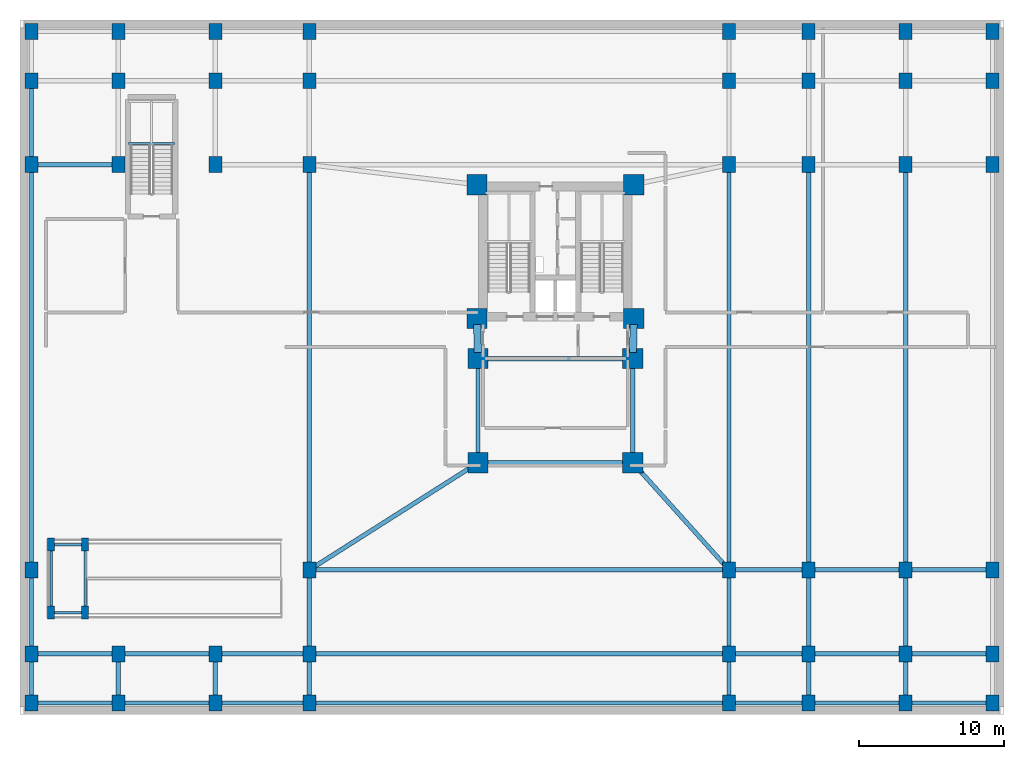
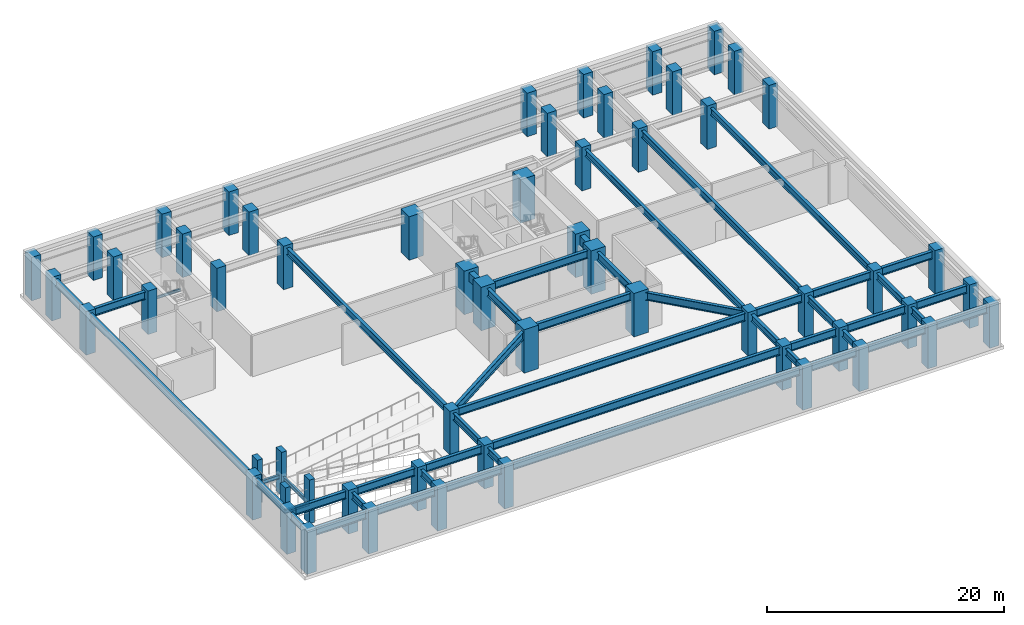
# One storey, part 1 of 8: 58 columns, 50 beams.
"""IFC4 building model written with IfcOpenShell, lengths in metres."""

from ifc_helpers import new_model, si_unit, direction, frame, origin, origin_2d, place, context, subcontext, project, spatial, rectangle, i_section, extrude, material, material_profile, profile_set, type_object, element, save


model = new_model("IFC4")

# Units and contexts
model_context = context("Model", 3, precision=1e-05, world=origin(), true_north=direction((0.0, 1.0)))
body_context = subcontext(model_context, "Body", "Model", "MODEL_VIEW")
ifc_project = project(units=[si_unit("LENGTHUNIT", "METRE"), si_unit("AREAUNIT", "SQUARE_METRE"), si_unit("VOLUMEUNIT", "CUBIC_METRE"), si_unit("PLANEANGLEUNIT", "RADIAN"), si_unit("MASSUNIT", "GRAM", prefix="KILO")], contexts=[model_context])

# Site, building, storey
site_placement = place(None, origin())
site = spatial("IfcSite", under=ifc_project, at=site_placement, CompositionType="ELEMENT")
building_placement = place(site_placement, origin())
building = spatial("IfcBuilding", under=site, at=building_placement, Name="Varnakorn Sky Granary", CompositionType="ELEMENT")
storey_placement = place(building_placement, frame((0.0, 0.0, -4.5)))
storey = spatial("IfcBuildingStorey", under=building, at=storey_placement, Name="B01", CompositionType="ELEMENT", Elevation=-4.5)

# Columns
ifc_material_1 = material(Name="Concrete C60/75", Category="concrete")
ifc_material_profile_1 = material_profile(ifc_material_1, rectangle(XDim=1.39990234375, YDim=1.39990234375, at=origin_2d()), Name="RC 1400x1400")
ifc_profile_set_1 = profile_set([ifc_material_profile_1], Name="Concrete C60/75")
column_type_1 = type_object("IfcColumnType", Name="COL-MC-Z0", PredefinedType="COLUMN", material=ifc_profile_set_1)
for number, where, z_axis, x_axis, name in (
    (1, (-2.419921875, 12.6201171875, 0.0), (0.0, 0.0, 1.0), (1.0, 0.0, 0.0), "Backbone Mega-Column MC1 B01"),
    (2, (8.419921875, 12.6201171875, 0.0), (0.0, 0.0, 1.0), (1.0, 0.0, 0.0), "Backbone Mega-Column MC2 B01"),
    (3, (-2.419921875, 3.3798828125, 0.0), (0.0, 0.0, 1.0), (1.0, 0.0, 0.0), "Backbone Mega-Column MC3 B01"),
    (4, (8.419921875, 3.3798828125, 0.0), (0.0, 0.0, 1.0), (1.0, 0.0, 0.0), "Backbone Mega-Column MC4 B01"),
    (5, (-2.35009765625, 0.60009765625, 0.0), (0.0, 0.0, 1.0), (1.0, 0.0, 0.0), "Backbone Mega-Column MC5 B01"),
    (6, (8.35009765625, 0.60009765625, 0.0), (0.0, 0.0, 1.0), (1.0, 0.0, 0.0), "Backbone Mega-Column MC6 B01"),
    (7, (-2.35009765625, -6.60009765625, 0.0), (0.0, 0.0, 1.0), (1.0, 0.0, 0.0), "Backbone Mega-Column MC7 B01"),
    (8, (8.35009765625, -6.60009765625, 0.0), (0.0, 0.0, 1.0), (1.0, 0.0, 0.0), "Backbone Mega-Column MC8 B01"),
):
    element("IfcColumn", number, at=place(storey_placement, frame(where, z_axis=z_axis, x_axis=x_axis)), inside=storey, type_object=column_type_1, Name=name, PredefinedType="COLUMN", context=body_context, shape_type="SweptSolid", body=[
        extrude(rectangle(XDim=1.39990234375, YDim=1.39990234375, at=origin_2d()), origin(), (0.0, 0.0, 1.0), 4.47509765625),
    ])
ifc_material_profile_2 = material_profile(ifc_material_1, rectangle(XDim=0.89990234375, YDim=1.10009765625, at=origin_2d()), Name="RC 900x1100")
ifc_profile_set_2 = profile_set([ifc_material_profile_2], Name="Concrete C60/75")
column_type_2 = type_object("IfcColumnType", Name="COL-POD-1100", PredefinedType="COLUMN", material=ifc_profile_set_2)
for number, where, z_axis, x_axis, name in (
    (9, (-33.199951171875, -23.199951171875, 0.0), (0.0, 0.0, 1.0), (1.0, 0.0, 0.0), "Podium Column P11 B01"),
    (10, (-33.199951171875, -19.800048828125, 0.0), (0.0, 0.0, 1.0), (1.0, 0.0, 0.0), "Podium Column P12 B01"),
    (11, (-33.199951171875, -14.0, 0.0), (0.0, 0.0, 1.0), (1.0, 0.0, 0.0), "Podium Column P13 B01"),
    (12, (-33.199951171875, 14.0, 0.0), (0.0, 0.0, 1.0), (1.0, 0.0, 0.0), "Podium Column P14 B01"),
    (13, (-33.199951171875, 19.800048828125, 0.0), (0.0, 0.0, 1.0), (1.0, 0.0, 0.0), "Podium Column P15 B01"),
    (14, (-33.199951171875, 23.199951171875, 0.0), (0.0, 0.0, 1.0), (1.0, 0.0, 0.0), "Podium Column P16 B01"),
    (15, (-27.199951171875, -23.199951171875, 0.0), (0.0, 0.0, 1.0), (1.0, 0.0, 0.0), "Podium Column P21 B01"),
    (16, (-27.199951171875, -19.800048828125, 0.0), (0.0, 0.0, 1.0), (1.0, 0.0, 0.0), "Podium Column P22 B01"),
    (17, (-27.199951171875, 14.0, 0.0), (0.0, 0.0, 1.0), (1.0, 0.0, 0.0), "Podium Column P24 B01"),
    (18, (-27.199951171875, 19.800048828125, 0.0), (0.0, 0.0, 1.0), (1.0, 0.0, 0.0), "Podium Column P25 B01"),
    (19, (-27.199951171875, 23.199951171875, 0.0), (0.0, 0.0, 1.0), (1.0, 0.0, 0.0), "Podium Column P26 B01"),
    (20, (-20.5, -23.199951171875, 0.0), (0.0, 0.0, 1.0), (1.0, 0.0, 0.0), "Podium Column P31 B01"),
    (21, (-20.5, -19.800048828125, 0.0), (0.0, 0.0, 1.0), (1.0, 0.0, 0.0), "Podium Column P32 B01"),
    (22, (-20.5, 14.0, 0.0), (0.0, 0.0, 1.0), (1.0, 0.0, 0.0), "Podium Column P34 B01"),
    (23, (-20.5, 19.800048828125, 0.0), (0.0, 0.0, 1.0), (1.0, 0.0, 0.0), "Podium Column P35 B01"),
    (24, (-20.5, 23.199951171875, 0.0), (0.0, 0.0, 1.0), (1.0, 0.0, 0.0), "Podium Column P36 B01"),
    (25, (-14.0, -23.199951171875, 0.0), (0.0, 0.0, 1.0), (1.0, 0.0, 0.0), "Podium Column P41 B01"),
    (26, (-14.0, -19.800048828125, 0.0), (0.0, 0.0, 1.0), (1.0, 0.0, 0.0), "Podium Column P42 B01"),
    (27, (-14.0, -14.0, 0.0), (0.0, 0.0, 1.0), (1.0, 0.0, 0.0), "Podium Column P43 B01"),
    (28, (-14.0, 14.0, 0.0), (0.0, 0.0, 1.0), (1.0, 0.0, 0.0), "Podium Column P44 B01"),
    (29, (-14.0, 19.800048828125, 0.0), (0.0, 0.0, 1.0), (1.0, 0.0, 0.0), "Podium Column P45 B01"),
    (30, (-14.0, 23.199951171875, 0.0), (0.0, 0.0, 1.0), (1.0, 0.0, 0.0), "Podium Column P46 B01"),
    (31, (15.0, -23.199951171875, 0.0), (0.0, 0.0, 1.0), (1.0, 0.0, 0.0), "Podium Column P51 B01"),
    (32, (15.0, -19.800048828125, 0.0), (0.0, 0.0, 1.0), (1.0, 0.0, 0.0), "Podium Column P52 B01"),
    (33, (15.0, -14.0, 0.0), (0.0, 0.0, 1.0), (1.0, 0.0, 0.0), "Podium Column P53 B01"),
    (34, (15.0, 14.0, 0.0), (0.0, 0.0, 1.0), (1.0, 0.0, 0.0), "Podium Column P54 B01"),
    (35, (15.0, 19.800048828125, 0.0), (0.0, 0.0, 1.0), (1.0, 0.0, 0.0), "Podium Column P55 B01"),
    (36, (15.0, 23.199951171875, 0.0), (0.0, 0.0, 1.0), (1.0, 0.0, 0.0), "Podium Column P56 B01"),
    (37, (20.5, -23.199951171875, 0.0), (0.0, 0.0, 1.0), (1.0, 0.0, 0.0), "Podium Column P61 B01"),
    (38, (20.5, -19.800048828125, 0.0), (0.0, 0.0, 1.0), (1.0, 0.0, 0.0), "Podium Column P62 B01"),
    (39, (20.5, -14.0, 0.0), (0.0, 0.0, 1.0), (1.0, 0.0, 0.0), "Podium Column P63 B01"),
    (40, (20.5, 14.0, 0.0), (0.0, 0.0, 1.0), (1.0, 0.0, 0.0), "Podium Column P64 B01"),
    (41, (20.5, 19.800048828125, 0.0), (0.0, 0.0, 1.0), (1.0, 0.0, 0.0), "Podium Column P65 B01"),
    (42, (20.5, 23.199951171875, 0.0), (0.0, 0.0, 1.0), (1.0, 0.0, 0.0), "Podium Column P66 B01"),
    (43, (27.199951171875, -23.199951171875, 0.0), (0.0, 0.0, 1.0), (1.0, 0.0, 0.0), "Podium Column P71 B01"),
    (44, (27.199951171875, -19.800048828125, 0.0), (0.0, 0.0, 1.0), (1.0, 0.0, 0.0), "Podium Column P72 B01"),
    (45, (27.199951171875, -14.0, 0.0), (0.0, 0.0, 1.0), (1.0, 0.0, 0.0), "Podium Column P73 B01"),
    (46, (27.199951171875, 14.0, 0.0), (0.0, 0.0, 1.0), (1.0, 0.0, 0.0), "Podium Column P74 B01"),
    (47, (27.199951171875, 19.800048828125, 0.0), (0.0, 0.0, 1.0), (1.0, 0.0, 0.0), "Podium Column P75 B01"),
    (48, (27.199951171875, 23.199951171875, 0.0), (0.0, 0.0, 1.0), (1.0, 0.0, 0.0), "Podium Column P76 B01"),
    (49, (33.199951171875, -23.199951171875, 0.0), (0.0, 0.0, 1.0), (1.0, 0.0, 0.0), "Podium Column P81 B01"),
    (50, (33.199951171875, -19.800048828125, 0.0), (0.0, 0.0, 1.0), (1.0, 0.0, 0.0), "Podium Column P82 B01"),
    (51, (33.199951171875, -14.0, 0.0), (0.0, 0.0, 1.0), (1.0, 0.0, 0.0), "Podium Column P83 B01"),
    (52, (33.199951171875, 14.0, 0.0), (0.0, 0.0, 1.0), (1.0, 0.0, 0.0), "Podium Column P84 B01"),
    (53, (33.199951171875, 19.800048828125, 0.0), (0.0, 0.0, 1.0), (1.0, 0.0, 0.0), "Podium Column P85 B01"),
    (54, (33.199951171875, 23.199951171875, 0.0), (0.0, 0.0, 1.0), (1.0, 0.0, 0.0), "Podium Column P86 B01"),
):
    element("IfcColumn", number, at=place(storey_placement, frame(where, z_axis=z_axis, x_axis=x_axis)), inside=storey, type_object=column_type_2, Name=name, PredefinedType="COLUMN", context=body_context, shape_type="SweptSolid", body=[
        extrude(rectangle(XDim=0.89990234375, YDim=1.10009765625, at=origin_2d()), origin(), (0.0, 0.0, 1.0), 4.47509765625),
    ])
ifc_material_2 = material(Name="Concrete C50/60", Category="concrete")
ifc_material_profile_3 = material_profile(ifc_material_2, rectangle(XDim=0.5, YDim=0.89990234375, at=origin_2d()), Name="RC 500x900")
ifc_profile_set_3 = profile_set([ifc_material_profile_3], Name="Concrete C50/60")
column_type_3 = type_object("IfcColumnType", Name="COL-RMP-500", PredefinedType="COLUMN", material=ifc_profile_set_3)
for number, where, z_axis, x_axis, name in (
    (55, (-31.85009765625, -16.949951171875, 0.0), (0.0, 0.0, 1.0), (1.0, 0.0, 0.0), "Vehicle Ramp Support Column 1 B01"),
    (56, (-29.5, -16.949951171875, 0.0), (0.0, 0.0, 1.0), (1.0, 0.0, 0.0), "Vehicle Ramp Support Column 2 B01"),
    (57, (-31.85009765625, -12.25, 0.0), (0.0, 0.0, 1.0), (1.0, 0.0, 0.0), "Vehicle Ramp Support Column 3 B01"),
    (58, (-29.5, -12.25, 0.0), (0.0, 0.0, 1.0), (1.0, 0.0, 0.0), "Vehicle Ramp Support Column 4 B01"),
):
    element("IfcColumn", number, at=place(storey_placement, frame(where, z_axis=z_axis, x_axis=x_axis)), inside=storey, type_object=column_type_3, Name=name, PredefinedType="COLUMN", context=body_context, shape_type="SweptSolid", body=[
        extrude(rectangle(XDim=0.5, YDim=0.89990234375, at=origin_2d()), origin(), (0.0, 0.0, 1.0), 4.491943359375),
    ])

# Beams
ifc_material_profile_4 = material_profile(ifc_material_1, rectangle(XDim=0.5, YDim=0.89990234375, at=origin_2d()), Name="RC 500x900")
ifc_profile_set_4 = profile_set([ifc_material_profile_4], Name="Concrete C60/75")
beam_type_1 = type_object("IfcBeamType", Name="BM-LIN-900", PredefinedType="LINTEL", material=ifc_profile_set_4)
for number, where, z_axis, x_axis, name in (
    (59, (-2.409423828125, 2.960205078125, 3.72998046875), (0.025158763514, -0.999683468213, 0.0), (0.999683468213, 0.025158763514, 0.0), "Core Spine Beam 1 B01"),
    (60, (8.409423828125, 2.960205078125, 3.72998046875), (-0.025158763514, -0.999683468213, 0.0), (0.999683468213, -0.025158763514, 0.0), "Core Spine Beam 2 B01"),
):
    element("IfcBeam", number, at=place(storey_placement, frame(where, z_axis=z_axis, x_axis=x_axis)), inside=storey, type_object=beam_type_1, Name=name, PredefinedType="LINTEL", context=body_context, shape_type="SweptSolid", body=[
        extrude(rectangle(XDim=0.5, YDim=0.89990234375, at=origin_2d()), origin(), (0.0, 0.0, 1.0), 1.94091796875),
    ])
ifc_material_3 = material(Name="Steel S355JR", Category="steel")
ifc_material_profile_5 = material_profile(ifc_material_3, i_section(OverallWidth=0.135009765625, OverallDepth=0.27001953125, WebThickness=0.006591796875, FlangeThickness=0.01025390625, at=origin_2d()), Name="IPE 270")
ifc_profile_set_5 = profile_set([ifc_material_profile_5], Name="Steel S355JR")
beam_type_2 = type_object("IfcBeamType", Name="BM-LND-270", PredefinedType="BEAM", material=ifc_profile_set_5)
beam_1_placement = place(storey_placement, frame((-26.5, 15.4599609375, 1.9150390625), z_axis=(1.0, 0.0, 0.0), x_axis=(0.0, 1.0, 0.0)))
element("IfcBeam", 61, at=beam_1_placement, inside=storey, type_object=beam_type_2, Name="Stair ST-B3 Landing Trimmer Beam A B01-1", PredefinedType="BEAM", context=body_context, shape_type="SweptSolid", body=[
    extrude(i_section(OverallWidth=0.135009765625, OverallDepth=0.27001953125, WebThickness=0.006591796875, FlangeThickness=0.01025390625, at=origin_2d()), origin(), (0.0, 0.0, 1.0), 3.179931640625),
])
ifc_material_profile_6 = material_profile(ifc_material_3, i_section(OverallWidth=0.300048828125, OverallDepth=0.699951171875, WebThickness=0.01708984375, FlangeThickness=0.031982421875, at=origin_2d()), Name="HE 700 B")
ifc_profile_set_6 = profile_set([ifc_material_profile_6], Name="Steel S355JR")
beam_type_3 = type_object("IfcBeamType", Name="BM-PG-700", PredefinedType="T_BEAM", material=ifc_profile_set_6)
beam_2_placement = place(storey_placement, frame((-33.199951171875, -22.780029296875, 3.830078125), z_axis=(0.0, 1.0, 0.0), x_axis=(-1.0, 0.0, 0.0)))
element("IfcBeam", 62, at=beam_2_placement, inside=storey, type_object=beam_type_3, Name="Podium Y-Girder GY39 B01", PredefinedType="T_BEAM", context=body_context, shape_type="SweptSolid", body=[
    extrude(i_section(OverallWidth=0.300048828125, OverallDepth=0.699951171875, WebThickness=0.01708984375, FlangeThickness=0.031982421875, at=origin_2d()), origin(), (0.0, 0.0, 1.0), 2.56005859375),
])
beam_3_placement = place(storey_placement, frame((-33.199951171875, -19.3798828125, 3.830078125), z_axis=(0.0, 1.0, 0.0), x_axis=(-1.0, 0.0, 0.0)))
element("IfcBeam", 63, at=beam_3_placement, inside=storey, type_object=beam_type_3, Name="Podium Y-Girder GY40 B01", PredefinedType="T_BEAM", context=body_context, shape_type="SweptSolid", body=[
    extrude(i_section(OverallWidth=0.300048828125, OverallDepth=0.699951171875, WebThickness=0.01708984375, FlangeThickness=0.031982421875, at=origin_2d()), origin(), (0.0, 0.0, 1.0), 4.9599609375),
])
beam_4_placement = place(storey_placement, frame((-33.199951171875, -13.580078125, 3.830078125), z_axis=(0.0, 1.0, 0.0), x_axis=(-1.0, 0.0, 0.0)))
element("IfcBeam", 64, at=beam_4_placement, inside=storey, type_object=beam_type_3, Name="Podium Y-Girder GY41 B01", PredefinedType="T_BEAM", context=body_context, shape_type="SweptSolid", body=[
    extrude(i_section(OverallWidth=0.300048828125, OverallDepth=0.699951171875, WebThickness=0.01708984375, FlangeThickness=0.031982421875, at=origin_2d()), origin(), (0.0, 0.0, 1.0), 27.16015625),
])
beam_5_placement = place(storey_placement, frame((-33.199951171875, 14.419921875, 3.830078125), z_axis=(0.0, 1.0, 0.0), x_axis=(-1.0, 0.0, 0.0)))
element("IfcBeam", 65, at=beam_5_placement, inside=storey, type_object=beam_type_3, Name="Podium Y-Girder GY42 B01", PredefinedType="T_BEAM", context=body_context, shape_type="SweptSolid", body=[
    extrude(i_section(OverallWidth=0.300048828125, OverallDepth=0.699951171875, WebThickness=0.01708984375, FlangeThickness=0.031982421875, at=origin_2d()), origin(), (0.0, 0.0, 1.0), 4.9599609375),
])
for number, where, z_axis, x_axis, name in (
    (66, (-27.199951171875, -22.780029296875, 3.830078125), (0.0, 1.0, 0.0), (-1.0, 0.0, 0.0), "Podium Y-Girder GY44 B01"),
    (67, (-20.5, -22.780029296875, 3.830078125), (0.0, 1.0, 0.0), (-1.0, 0.0, 0.0), "Podium Y-Girder GY47 B01"),
    (68, (-14.0, -22.780029296875, 3.830078125), (0.0, 1.0, 0.0), (-1.0, 0.0, 0.0), "Podium Y-Girder GY50 B01"),
):
    element("IfcBeam", number, at=place(storey_placement, frame(where, z_axis=z_axis, x_axis=x_axis)), inside=storey, type_object=beam_type_3, Name=name, PredefinedType="T_BEAM", context=body_context, shape_type="SweptSolid", body=[
        extrude(i_section(OverallWidth=0.300048828125, OverallDepth=0.699951171875, WebThickness=0.01708984375, FlangeThickness=0.031982421875, at=origin_2d()), origin(), (0.0, 0.0, 1.0), 2.56005859375),
    ])
beam_6_placement = place(storey_placement, frame((-14.0, -19.3798828125, 3.830078125), z_axis=(0.0, 1.0, 0.0), x_axis=(-1.0, 0.0, 0.0)))
element("IfcBeam", 69, at=beam_6_placement, inside=storey, type_object=beam_type_3, Name="Podium Y-Girder GY51 B01", PredefinedType="T_BEAM", context=body_context, shape_type="SweptSolid", body=[
    extrude(i_section(OverallWidth=0.300048828125, OverallDepth=0.699951171875, WebThickness=0.01708984375, FlangeThickness=0.031982421875, at=origin_2d()), origin(), (0.0, 0.0, 1.0), 4.9599609375),
])
beam_7_placement = place(storey_placement, frame((-14.0, -13.580078125, 3.830078125), z_axis=(0.0, 1.0, 0.0), x_axis=(-1.0, 0.0, 0.0)))
element("IfcBeam", 70, at=beam_7_placement, inside=storey, type_object=beam_type_3, Name="Podium Y-Girder GY52 B01", PredefinedType="T_BEAM", context=body_context, shape_type="SweptSolid", body=[
    extrude(i_section(OverallWidth=0.300048828125, OverallDepth=0.699951171875, WebThickness=0.01708984375, FlangeThickness=0.031982421875, at=origin_2d()), origin(), (0.0, 0.0, 1.0), 27.16015625),
])
beam_8_placement = place(storey_placement, frame((15.0, -22.780029296875, 3.830078125), z_axis=(0.0, 1.0, 0.0), x_axis=(-1.0, 0.0, 0.0)))
element("IfcBeam", 71, at=beam_8_placement, inside=storey, type_object=beam_type_3, Name="Podium Y-Girder GY55 B01", PredefinedType="T_BEAM", context=body_context, shape_type="SweptSolid", body=[
    extrude(i_section(OverallWidth=0.300048828125, OverallDepth=0.699951171875, WebThickness=0.01708984375, FlangeThickness=0.031982421875, at=origin_2d()), origin(), (0.0, 0.0, 1.0), 2.56005859375),
])
beam_9_placement = place(storey_placement, frame((15.0, -19.3798828125, 3.830078125), z_axis=(0.0, 1.0, 0.0), x_axis=(-1.0, 0.0, 0.0)))
element("IfcBeam", 72, at=beam_9_placement, inside=storey, type_object=beam_type_3, Name="Podium Y-Girder GY56 B01", PredefinedType="T_BEAM", context=body_context, shape_type="SweptSolid", body=[
    extrude(i_section(OverallWidth=0.300048828125, OverallDepth=0.699951171875, WebThickness=0.01708984375, FlangeThickness=0.031982421875, at=origin_2d()), origin(), (0.0, 0.0, 1.0), 4.9599609375),
])
beam_10_placement = place(storey_placement, frame((15.0, -13.580078125, 3.830078125), z_axis=(0.0, 1.0, 0.0), x_axis=(-1.0, 0.0, 0.0)))
element("IfcBeam", 73, at=beam_10_placement, inside=storey, type_object=beam_type_3, Name="Podium Y-Girder GY57 B01", PredefinedType="T_BEAM", context=body_context, shape_type="SweptSolid", body=[
    extrude(i_section(OverallWidth=0.300048828125, OverallDepth=0.699951171875, WebThickness=0.01708984375, FlangeThickness=0.031982421875, at=origin_2d()), origin(), (0.0, 0.0, 1.0), 27.16015625),
])
beam_11_placement = place(storey_placement, frame((20.5, -22.780029296875, 3.830078125), z_axis=(0.0, 1.0, 0.0), x_axis=(-1.0, 0.0, 0.0)))
element("IfcBeam", 74, at=beam_11_placement, inside=storey, type_object=beam_type_3, Name="Podium Y-Girder GY60 B01", PredefinedType="T_BEAM", context=body_context, shape_type="SweptSolid", body=[
    extrude(i_section(OverallWidth=0.300048828125, OverallDepth=0.699951171875, WebThickness=0.01708984375, FlangeThickness=0.031982421875, at=origin_2d()), origin(), (0.0, 0.0, 1.0), 2.56005859375),
])
beam_12_placement = place(storey_placement, frame((20.5, -19.3798828125, 3.830078125), z_axis=(0.0, 1.0, 0.0), x_axis=(-1.0, 0.0, 0.0)))
element("IfcBeam", 75, at=beam_12_placement, inside=storey, type_object=beam_type_3, Name="Podium Y-Girder GY61 B01", PredefinedType="T_BEAM", context=body_context, shape_type="SweptSolid", body=[
    extrude(i_section(OverallWidth=0.300048828125, OverallDepth=0.699951171875, WebThickness=0.01708984375, FlangeThickness=0.031982421875, at=origin_2d()), origin(), (0.0, 0.0, 1.0), 4.9599609375),
])
beam_13_placement = place(storey_placement, frame((20.5, -13.580078125, 3.830078125), z_axis=(0.0, 1.0, 0.0), x_axis=(-1.0, 0.0, 0.0)))
element("IfcBeam", 76, at=beam_13_placement, inside=storey, type_object=beam_type_3, Name="Podium Y-Girder GY62 B01", PredefinedType="T_BEAM", context=body_context, shape_type="SweptSolid", body=[
    extrude(i_section(OverallWidth=0.300048828125, OverallDepth=0.699951171875, WebThickness=0.01708984375, FlangeThickness=0.031982421875, at=origin_2d()), origin(), (0.0, 0.0, 1.0), 27.16015625),
])
beam_14_placement = place(storey_placement, frame((27.199951171875, -22.780029296875, 3.830078125), z_axis=(0.0, 1.0, 0.0), x_axis=(-1.0, 0.0, 0.0)))
element("IfcBeam", 77, at=beam_14_placement, inside=storey, type_object=beam_type_3, Name="Podium Y-Girder GY65 B01", PredefinedType="T_BEAM", context=body_context, shape_type="SweptSolid", body=[
    extrude(i_section(OverallWidth=0.300048828125, OverallDepth=0.699951171875, WebThickness=0.01708984375, FlangeThickness=0.031982421875, at=origin_2d()), origin(), (0.0, 0.0, 1.0), 2.56005859375),
])
beam_15_placement = place(storey_placement, frame((27.199951171875, -19.3798828125, 3.830078125), z_axis=(0.0, 1.0, 0.0), x_axis=(-1.0, 0.0, 0.0)))
element("IfcBeam", 78, at=beam_15_placement, inside=storey, type_object=beam_type_3, Name="Podium Y-Girder GY66 B01", PredefinedType="T_BEAM", context=body_context, shape_type="SweptSolid", body=[
    extrude(i_section(OverallWidth=0.300048828125, OverallDepth=0.699951171875, WebThickness=0.01708984375, FlangeThickness=0.031982421875, at=origin_2d()), origin(), (0.0, 0.0, 1.0), 4.9599609375),
])
beam_16_placement = place(storey_placement, frame((27.199951171875, -13.580078125, 3.830078125), z_axis=(0.0, 1.0, 0.0), x_axis=(-1.0, 0.0, 0.0)))
element("IfcBeam", 79, at=beam_16_placement, inside=storey, type_object=beam_type_3, Name="Podium Y-Girder GY67 B01", PredefinedType="T_BEAM", context=body_context, shape_type="SweptSolid", body=[
    extrude(i_section(OverallWidth=0.300048828125, OverallDepth=0.699951171875, WebThickness=0.01708984375, FlangeThickness=0.031982421875, at=origin_2d()), origin(), (0.0, 0.0, 1.0), 27.16015625),
])
ifc_material_profile_7 = material_profile(ifc_material_3, i_section(OverallWidth=0.300048828125, OverallDepth=0.800048828125, WebThickness=0.017578125, FlangeThickness=0.032958984375, at=origin_2d()), Name="HE 800 B")
ifc_profile_set_7 = profile_set([ifc_material_profile_7], Name="Steel S355JR")
beam_type_4 = type_object("IfcBeamType", Name="BM-PG-800", PredefinedType="BEAM", material=ifc_profile_set_7)
beam_17_placement = place(storey_placement, frame((-32.780029296875, -23.199951171875, 3.780029296875), z_axis=(1.0, 0.0, 0.0), x_axis=(0.0, 1.0, 0.0)))
element("IfcBeam", 80, at=beam_17_placement, inside=storey, type_object=beam_type_4, Name="Podium X-Girder GX01 B01", PredefinedType="BEAM", context=body_context, shape_type="SweptSolid", body=[
    extrude(i_section(OverallWidth=0.300048828125, OverallDepth=0.800048828125, WebThickness=0.017578125, FlangeThickness=0.032958984375, at=origin_2d()), origin(), (0.0, 0.0, 1.0), 5.159912109375),
])
beam_18_placement = place(storey_placement, frame((-26.780029296875, -23.199951171875, 3.780029296875), z_axis=(1.0, 0.0, 0.0), x_axis=(0.0, 1.0, 0.0)))
element("IfcBeam", 81, at=beam_18_placement, inside=storey, type_object=beam_type_4, Name="Podium X-Girder GX02 B01", PredefinedType="BEAM", context=body_context, shape_type="SweptSolid", body=[
    extrude(i_section(OverallWidth=0.300048828125, OverallDepth=0.800048828125, WebThickness=0.017578125, FlangeThickness=0.032958984375, at=origin_2d()), origin(), (0.0, 0.0, 1.0), 5.860107421875),
])
beam_19_placement = place(storey_placement, frame((-20.080078125, -23.199951171875, 3.780029296875), z_axis=(1.0, 0.0, 0.0), x_axis=(0.0, 1.0, 0.0)))
element("IfcBeam", 82, at=beam_19_placement, inside=storey, type_object=beam_type_4, Name="Podium X-Girder GX03 B01", PredefinedType="BEAM", context=body_context, shape_type="SweptSolid", body=[
    extrude(i_section(OverallWidth=0.300048828125, OverallDepth=0.800048828125, WebThickness=0.017578125, FlangeThickness=0.032958984375, at=origin_2d()), origin(), (0.0, 0.0, 1.0), 5.66015625),
])
beam_20_placement = place(storey_placement, frame((-13.580078125, -23.199951171875, 3.780029296875), z_axis=(1.0, 0.0, 0.0), x_axis=(0.0, 1.0, 0.0)))
element("IfcBeam", 83, at=beam_20_placement, inside=storey, type_object=beam_type_4, Name="Podium X-Girder GX04 B01", PredefinedType="BEAM", context=body_context, shape_type="SweptSolid", body=[
    extrude(i_section(OverallWidth=0.300048828125, OverallDepth=0.800048828125, WebThickness=0.017578125, FlangeThickness=0.032958984375, at=origin_2d()), origin(), (0.0, 0.0, 1.0), 28.16015625),
])
beam_21_placement = place(storey_placement, frame((15.419921875, -23.199951171875, 3.780029296875), z_axis=(1.0, 0.0, 0.0), x_axis=(0.0, 1.0, 0.0)))
element("IfcBeam", 84, at=beam_21_placement, inside=storey, type_object=beam_type_4, Name="Podium X-Girder GX05 B01", PredefinedType="BEAM", context=body_context, shape_type="SweptSolid", body=[
    extrude(i_section(OverallWidth=0.300048828125, OverallDepth=0.800048828125, WebThickness=0.017578125, FlangeThickness=0.032958984375, at=origin_2d()), origin(), (0.0, 0.0, 1.0), 4.66015625),
])
beam_22_placement = place(storey_placement, frame((20.919921875, -23.199951171875, 3.780029296875), z_axis=(1.0, 0.0, 0.0), x_axis=(0.0, 1.0, 0.0)))
element("IfcBeam", 85, at=beam_22_placement, inside=storey, type_object=beam_type_4, Name="Podium X-Girder GX06 B01", PredefinedType="BEAM", context=body_context, shape_type="SweptSolid", body=[
    extrude(i_section(OverallWidth=0.300048828125, OverallDepth=0.800048828125, WebThickness=0.017578125, FlangeThickness=0.032958984375, at=origin_2d()), origin(), (0.0, 0.0, 1.0), 5.860107421875),
])
for number, where, z_axis, x_axis, name in (
    (86, (27.6201171875, -23.199951171875, 3.780029296875), (1.0, 0.0, 0.0), (0.0, 1.0, 0.0), "Podium X-Girder GX07 B01"),
    (87, (-32.780029296875, -19.800048828125, 3.780029296875), (1.0, 0.0, 0.0), (0.0, 1.0, 0.0), "Podium X-Girder GX08 B01"),
):
    element("IfcBeam", number, at=place(storey_placement, frame(where, z_axis=z_axis, x_axis=x_axis)), inside=storey, type_object=beam_type_4, Name=name, PredefinedType="BEAM", context=body_context, shape_type="SweptSolid", body=[
        extrude(i_section(OverallWidth=0.300048828125, OverallDepth=0.800048828125, WebThickness=0.017578125, FlangeThickness=0.032958984375, at=origin_2d()), origin(), (0.0, 0.0, 1.0), 5.159912109375),
    ])
beam_23_placement = place(storey_placement, frame((-26.780029296875, -19.800048828125, 3.780029296875), z_axis=(1.0, 0.0, 0.0), x_axis=(0.0, 1.0, 0.0)))
element("IfcBeam", 88, at=beam_23_placement, inside=storey, type_object=beam_type_4, Name="Podium X-Girder GX09 B01", PredefinedType="BEAM", context=body_context, shape_type="SweptSolid", body=[
    extrude(i_section(OverallWidth=0.300048828125, OverallDepth=0.800048828125, WebThickness=0.017578125, FlangeThickness=0.032958984375, at=origin_2d()), origin(), (0.0, 0.0, 1.0), 5.860107421875),
])
beam_24_placement = place(storey_placement, frame((-20.080078125, -19.800048828125, 3.780029296875), z_axis=(1.0, 0.0, 0.0), x_axis=(0.0, 1.0, 0.0)))
element("IfcBeam", 89, at=beam_24_placement, inside=storey, type_object=beam_type_4, Name="Podium X-Girder GX10 B01", PredefinedType="BEAM", context=body_context, shape_type="SweptSolid", body=[
    extrude(i_section(OverallWidth=0.300048828125, OverallDepth=0.800048828125, WebThickness=0.017578125, FlangeThickness=0.032958984375, at=origin_2d()), origin(), (0.0, 0.0, 1.0), 5.66015625),
])
beam_25_placement = place(storey_placement, frame((-13.580078125, -19.800048828125, 3.780029296875), z_axis=(1.0, 0.0, 0.0), x_axis=(0.0, 1.0, 0.0)))
element("IfcBeam", 90, at=beam_25_placement, inside=storey, type_object=beam_type_4, Name="Podium X-Girder GX11 B01", PredefinedType="BEAM", context=body_context, shape_type="SweptSolid", body=[
    extrude(i_section(OverallWidth=0.300048828125, OverallDepth=0.800048828125, WebThickness=0.017578125, FlangeThickness=0.032958984375, at=origin_2d()), origin(), (0.0, 0.0, 1.0), 28.16015625),
])
beam_26_placement = place(storey_placement, frame((15.419921875, -19.800048828125, 3.780029296875), z_axis=(1.0, 0.0, 0.0), x_axis=(0.0, 1.0, 0.0)))
element("IfcBeam", 91, at=beam_26_placement, inside=storey, type_object=beam_type_4, Name="Podium X-Girder GX12 B01", PredefinedType="BEAM", context=body_context, shape_type="SweptSolid", body=[
    extrude(i_section(OverallWidth=0.300048828125, OverallDepth=0.800048828125, WebThickness=0.017578125, FlangeThickness=0.032958984375, at=origin_2d()), origin(), (0.0, 0.0, 1.0), 4.66015625),
])
beam_27_placement = place(storey_placement, frame((20.919921875, -19.800048828125, 3.780029296875), z_axis=(1.0, 0.0, 0.0), x_axis=(0.0, 1.0, 0.0)))
element("IfcBeam", 92, at=beam_27_placement, inside=storey, type_object=beam_type_4, Name="Podium X-Girder GX13 B01", PredefinedType="BEAM", context=body_context, shape_type="SweptSolid", body=[
    extrude(i_section(OverallWidth=0.300048828125, OverallDepth=0.800048828125, WebThickness=0.017578125, FlangeThickness=0.032958984375, at=origin_2d()), origin(), (0.0, 0.0, 1.0), 5.860107421875),
])
beam_28_placement = place(storey_placement, frame((27.6201171875, -19.800048828125, 3.780029296875), z_axis=(1.0, 0.0, 0.0), x_axis=(0.0, 1.0, 0.0)))
element("IfcBeam", 93, at=beam_28_placement, inside=storey, type_object=beam_type_4, Name="Podium X-Girder GX14 B01", PredefinedType="BEAM", context=body_context, shape_type="SweptSolid", body=[
    extrude(i_section(OverallWidth=0.300048828125, OverallDepth=0.800048828125, WebThickness=0.017578125, FlangeThickness=0.032958984375, at=origin_2d()), origin(), (0.0, 0.0, 1.0), 5.159912109375),
])
beam_29_placement = place(storey_placement, frame((-13.580078125, -14.0, 3.780029296875), z_axis=(1.0, 0.0, 0.0), x_axis=(0.0, 1.0, 0.0)))
element("IfcBeam", 94, at=beam_29_placement, inside=storey, type_object=beam_type_4, Name="Podium X-Girder GX15 B01", PredefinedType="BEAM", context=body_context, shape_type="SweptSolid", body=[
    extrude(i_section(OverallWidth=0.300048828125, OverallDepth=0.800048828125, WebThickness=0.017578125, FlangeThickness=0.032958984375, at=origin_2d()), origin(), (0.0, 0.0, 1.0), 28.16015625),
])
beam_30_placement = place(storey_placement, frame((15.419921875, -14.0, 3.780029296875), z_axis=(1.0, 0.0, 0.0), x_axis=(0.0, 1.0, 0.0)))
element("IfcBeam", 95, at=beam_30_placement, inside=storey, type_object=beam_type_4, Name="Podium X-Girder GX16 B01", PredefinedType="BEAM", context=body_context, shape_type="SweptSolid", body=[
    extrude(i_section(OverallWidth=0.300048828125, OverallDepth=0.800048828125, WebThickness=0.017578125, FlangeThickness=0.032958984375, at=origin_2d()), origin(), (0.0, 0.0, 1.0), 4.66015625),
])
beam_31_placement = place(storey_placement, frame((20.919921875, -14.0, 3.780029296875), z_axis=(1.0, 0.0, 0.0), x_axis=(0.0, 1.0, 0.0)))
element("IfcBeam", 96, at=beam_31_placement, inside=storey, type_object=beam_type_4, Name="Podium X-Girder GX17 B01", PredefinedType="BEAM", context=body_context, shape_type="SweptSolid", body=[
    extrude(i_section(OverallWidth=0.300048828125, OverallDepth=0.800048828125, WebThickness=0.017578125, FlangeThickness=0.032958984375, at=origin_2d()), origin(), (0.0, 0.0, 1.0), 5.860107421875),
])
for number, where, z_axis, x_axis, name in (
    (97, (27.6201171875, -14.0, 3.780029296875), (1.0, 0.0, 0.0), (0.0, 1.0, 0.0), "Podium X-Girder GX18 B01"),
    (98, (-32.780029296875, 14.0, 3.780029296875), (1.0, 0.0, 0.0), (0.0, 1.0, 0.0), "Podium X-Girder GX19 B01"),
):
    element("IfcBeam", number, at=place(storey_placement, frame(where, z_axis=z_axis, x_axis=x_axis)), inside=storey, type_object=beam_type_4, Name=name, PredefinedType="BEAM", context=body_context, shape_type="SweptSolid", body=[
        extrude(i_section(OverallWidth=0.300048828125, OverallDepth=0.800048828125, WebThickness=0.017578125, FlangeThickness=0.032958984375, at=origin_2d()), origin(), (0.0, 0.0, 1.0), 5.159912109375),
    ])
beam_32_placement = place(storey_placement, frame((-13.6455078125, -13.77490234375, 3.780029296875), z_axis=(0.844104836764, 0.536178164933, 0.0), x_axis=(-0.536178164933, 0.844104836764, 0.0)))
element("IfcBeam", 99, at=beam_32_placement, inside=storey, type_object=beam_type_4, Name="Podium Core Tie Girder 2 B01", PredefinedType="BEAM", context=body_context, shape_type="SweptSolid", body=[
    extrude(i_section(OverallWidth=0.300048828125, OverallDepth=0.800048828125, WebThickness=0.017578125, FlangeThickness=0.032958984375, at=origin_2d()), origin(), (0.0, 0.0, 1.0), 12.961669921875),
])
beam_33_placement = place(storey_placement, frame((14.71923828125, -13.6875, 3.780029296875), z_axis=(-0.668418142949, 0.743785712538, 0.0), x_axis=(-0.743785712538, -0.668418142949, 0.0)))
element("IfcBeam", 100, at=beam_33_placement, inside=storey, type_object=beam_type_4, Name="Podium Core Tie Girder 4 B01", PredefinedType="BEAM", context=body_context, shape_type="SweptSolid", body=[
    extrude(i_section(OverallWidth=0.300048828125, OverallDepth=0.800048828125, WebThickness=0.017578125, FlangeThickness=0.032958984375, at=origin_2d()), origin(), (0.0, 0.0, 1.0), 9.10888671875),
])
for number, where, z_axis, x_axis, name in (
    (101, (-2.35009765625, 0.179931640625, 3.780029296875), (0.0, -1.0, 0.0), (1.0, 0.0, 0.0), "Core Spine Beam 3 B01"),
    (102, (8.35009765625, 0.179931640625, 3.780029296875), (0.0, -1.0, 0.0), (1.0, 0.0, 0.0), "Core Spine Beam 4 B01"),
):
    element("IfcBeam", number, at=place(storey_placement, frame(where, z_axis=z_axis, x_axis=x_axis)), inside=storey, type_object=beam_type_4, Name=name, PredefinedType="BEAM", context=body_context, shape_type="SweptSolid", body=[
        extrude(i_section(OverallWidth=0.300048828125, OverallDepth=0.800048828125, WebThickness=0.017578125, FlangeThickness=0.032958984375, at=origin_2d()), origin(), (0.0, 0.0, 1.0), 6.35986328125),
    ])
for number, where, z_axis, x_axis, name in (
    (103, (-1.929931640625, 0.60009765625, 3.780029296875), (1.0, 0.0, 0.0), (0.0, 1.0, 0.0), "Core Spine Beam 5 B01"),
    (104, (-1.929931640625, -6.60009765625, 3.780029296875), (1.0, 0.0, 0.0), (0.0, 1.0, 0.0), "Core Spine Beam 6 B01"),
):
    element("IfcBeam", number, at=place(storey_placement, frame(where, z_axis=z_axis, x_axis=x_axis)), inside=storey, type_object=beam_type_4, Name=name, PredefinedType="BEAM", context=body_context, shape_type="SweptSolid", body=[
        extrude(i_section(OverallWidth=0.300048828125, OverallDepth=0.800048828125, WebThickness=0.017578125, FlangeThickness=0.032958984375, at=origin_2d()), origin(), (0.0, 0.0, 1.0), 9.85986328125),
    ])
ifc_material_profile_8 = material_profile(ifc_material_3, i_section(OverallWidth=0.179931640625, OverallDepth=0.39990234375, WebThickness=0.008544921875, FlangeThickness=0.013427734375, at=origin_2d()), Name="IPE 400")
ifc_profile_set_8 = profile_set([ifc_material_profile_8], Name="Steel S355JR")
beam_type_5 = type_object("IfcBeamType", Name="BM-SEC-Z3", PredefinedType="BEAM", material=ifc_profile_set_8)
for number, where, z_axis, x_axis, name in (
    (105, (-31.85009765625, -16.949951171875, 1.75), (1.0, 0.0, 0.0), (0.0, 1.0, 0.0), "Vehicle Ramp Landing Support Beam 1 B01"),
    (106, (-31.85009765625, -12.25, 1.75), (1.0, 0.0, 0.0), (0.0, 1.0, 0.0), "Vehicle Ramp Landing Support Beam 2 B01"),
):
    element("IfcBeam", number, at=place(storey_placement, frame(where, z_axis=z_axis, x_axis=x_axis)), inside=storey, type_object=beam_type_5, Name=name, PredefinedType="BEAM", context=body_context, shape_type="SweptSolid", body=[
        extrude(i_section(OverallWidth=0.179931640625, OverallDepth=0.39990234375, WebThickness=0.008544921875, FlangeThickness=0.013427734375, at=origin_2d()), origin(), (0.0, 0.0, 1.0), 2.35009765625),
    ])
for number, where, z_axis, x_axis, name in (
    (107, (-29.5, -16.949951171875, 1.75), (0.0, 1.0, 0.0), (-1.0, 0.0, 0.0), "Vehicle Ramp Landing Support Beam 3 B01"),
    (108, (-31.85009765625, -16.949951171875, 1.75), (0.0, 1.0, 0.0), (-1.0, 0.0, 0.0), "Vehicle Ramp Landing Support Beam 4 B01"),
):
    element("IfcBeam", number, at=place(storey_placement, frame(where, z_axis=z_axis, x_axis=x_axis)), inside=storey, type_object=beam_type_5, Name=name, PredefinedType="BEAM", context=body_context, shape_type="SweptSolid", body=[
        extrude(i_section(OverallWidth=0.179931640625, OverallDepth=0.39990234375, WebThickness=0.008544921875, FlangeThickness=0.013427734375, at=origin_2d()), origin(), (0.0, 0.0, 1.0), 4.699951171875),
    ])

save(model, "model.ifc")
